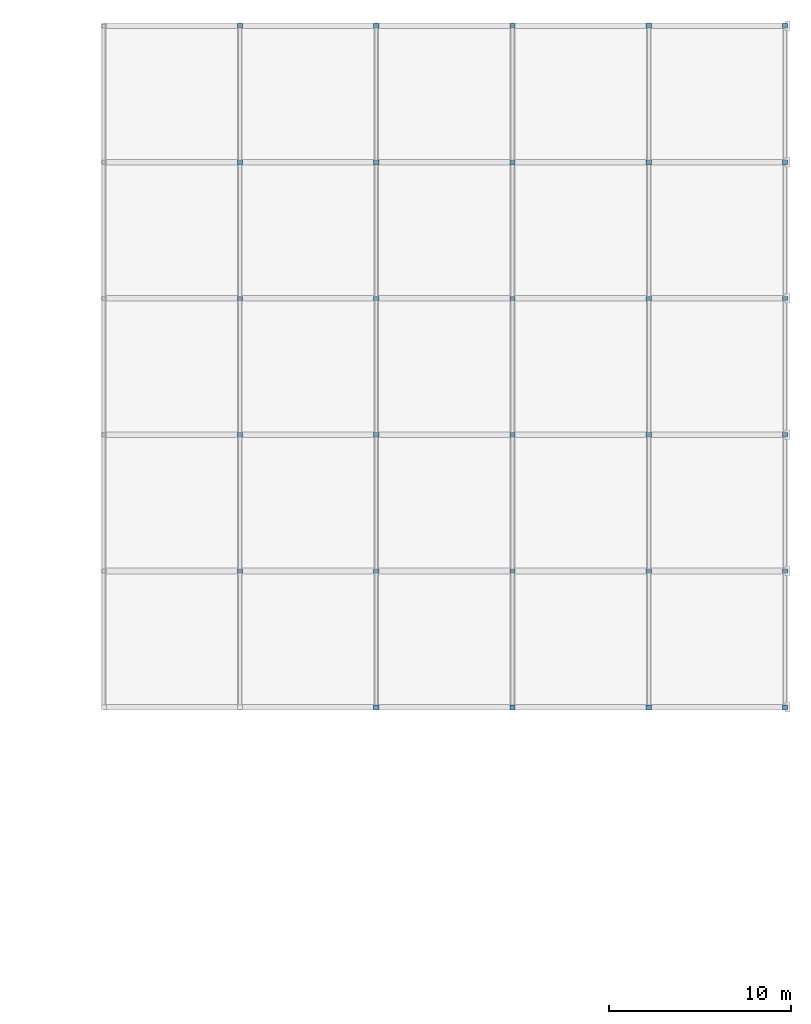
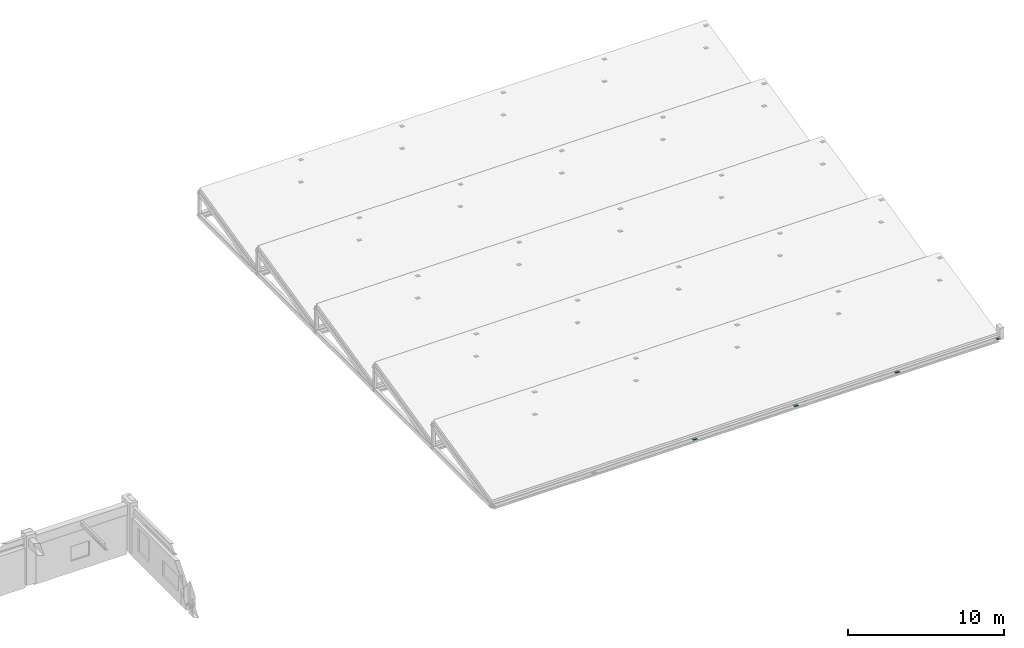
# One storey, part 72 of 82: 54 discrete accessories.
"""IFC4 building model written with IfcOpenShell, lengths in metres."""

from ifc_helpers import new_model, si_unit, direction, frame, origin, origin_2d, place, context, subcontext, project, spatial, rectangle, extrude, material, type_object, element, save


model = new_model("IFC4")

# Units and contexts
model_context = context("Model", 3, precision=1e-05, world=origin(), true_north=direction((0.0, 1.0)))
body_context = subcontext(model_context, "Body", "Model", "MODEL_VIEW")
ifc_project = project(units=[si_unit("LENGTHUNIT", "METRE"), si_unit("AREAUNIT", "SQUARE_METRE"), si_unit("VOLUMEUNIT", "CUBIC_METRE"), si_unit("PLANEANGLEUNIT", "RADIAN"), si_unit("MASSUNIT", "GRAM", prefix="KILO")], contexts=[model_context])

# Site, building, storey
site_placement = place(None, origin())
site = spatial("IfcSite", under=ifc_project, at=site_placement, CompositionType="ELEMENT")
building_placement = place(site_placement, origin())
building = spatial("IfcBuilding", under=site, at=building_placement, Name="Qasida Concert Hall", CompositionType="ELEMENT")
storey_placement = place(building_placement, frame((0.0, 0.0, 17.10009765625)))
storey = spatial("IfcBuildingStorey", under=building, at=storey_placement, Name="L04", CompositionType="ELEMENT", Elevation=17.10009765625)

# Discrete accessories
ifc_material = material(Name="Steel S355J2", Category="steel")
discrete_accessory_type = type_object("IfcDiscreteAccessoryType", Name="ACC-CONN-S355", PredefinedType="BRACKET", material=ifc_material)
for number, where, z_axis, x_axis, name in (
    (1, (150.0, 75.0, -0.011962890625), (0.0, 0.0, 1.0), (1.0, 0.0, 0.0), "Steel brace/strut end connection CN-0115"),
    (2, (165.0, 75.0, -0.011962890625), (0.0, 0.0, 1.0), (1.0, 0.0, 0.0), "Steel brace/strut end connection CN-0116"),
    (3, (150.0, 82.5, -0.011962890625), (0.0, 0.0, 1.0), (1.0, 0.0, 0.0), "Steel brace/strut end connection CN-0118"),
    (4, (165.0, 82.5, -0.011962890625), (0.0, 0.0, 1.0), (1.0, 0.0, 0.0), "Steel brace/strut end connection CN-0119"),
    (5, (150.0, 90.0, -0.011962890625), (0.0, 0.0, 1.0), (1.0, 0.0, 0.0), "Steel brace/strut end connection CN-0121"),
    (6, (165.0, 90.0, -0.011962890625), (0.0, 0.0, 1.0), (1.0, 0.0, 0.0), "Steel brace/strut end connection CN-0122"),
    (7, (150.0, 97.5, -0.011962890625), (0.0, 0.0, 1.0), (1.0, 0.0, 0.0), "Steel brace/strut end connection CN-0124"),
    (8, (165.0, 97.5, -0.011962890625), (0.0, 0.0, 1.0), (1.0, 0.0, 0.0), "Steel brace/strut end connection CN-0125"),
    (9, (150.0, 105.0, -0.011962890625), (0.0, 0.0, 1.0), (1.0, 0.0, 0.0), "Steel brace/strut end connection CN-0127"),
    (10, (165.0, 105.0, -0.011962890625), (0.0, 0.0, 1.0), (1.0, 0.0, 0.0), "Steel brace/strut end connection CN-0128"),
    (11, (150.0, 112.5, -0.011962890625), (0.0, 0.0, 1.0), (1.0, 0.0, 0.0), "Steel brace/strut end connection CN-0130"),
    (12, (165.0, 112.5, -0.011962890625), (0.0, 0.0, 1.0), (1.0, 0.0, 0.0), "Steel brace/strut end connection CN-0131"),
    (13, (135.0, 82.5, -0.011962890625), (0.0, 0.0, 1.0), (1.0, 0.0, 0.0), "Steel brace/strut end connection CN-0134"),
    (14, (135.0, 82.5, 1.738037109375), (0.0, 0.0, 1.0), (1.0, 0.0, 0.0), "Steel brace/strut end connection CN-0135"),
    (15, (142.5, 75.0, -0.011962890625), (0.0, 0.0, 1.0), (1.0, 0.0, 0.0), "Steel brace/strut end connection CN-0136"),
    (16, (142.5, 82.5, -0.011962890625), (0.0, 0.0, 1.0), (1.0, 0.0, 0.0), "Steel brace/strut end connection CN-0137"),
    (17, (142.5, 82.5, 1.738037109375), (0.0, 0.0, 1.0), (1.0, 0.0, 0.0), "Steel brace/strut end connection CN-0138"),
    (18, (150.0, 82.5, 1.738037109375), (0.0, 0.0, 1.0), (1.0, 0.0, 0.0), "Steel brace/strut end connection CN-0139"),
    (19, (157.5, 75.0, -0.011962890625), (0.0, 0.0, 1.0), (1.0, 0.0, 0.0), "Steel brace/strut end connection CN-0140"),
    (20, (157.5, 82.5, -0.011962890625), (0.0, 0.0, 1.0), (1.0, 0.0, 0.0), "Steel brace/strut end connection CN-0141"),
    (21, (157.5, 82.5, 1.738037109375), (0.0, 0.0, 1.0), (1.0, 0.0, 0.0), "Steel brace/strut end connection CN-0142"),
    (22, (165.0, 82.5, 1.738037109375), (0.0, 0.0, 1.0), (1.0, 0.0, 0.0), "Steel brace/strut end connection CN-0143"),
    (23, (135.0, 90.0, -0.011962890625), (0.0, 0.0, 1.0), (1.0, 0.0, 0.0), "Steel brace/strut end connection CN-0145"),
    (24, (135.0, 90.0, 1.738037109375), (0.0, 0.0, 1.0), (1.0, 0.0, 0.0), "Steel brace/strut end connection CN-0146"),
    (25, (142.5, 90.0, -0.011962890625), (0.0, 0.0, 1.0), (1.0, 0.0, 0.0), "Steel brace/strut end connection CN-0147"),
    (26, (142.5, 90.0, 1.738037109375), (0.0, 0.0, 1.0), (1.0, 0.0, 0.0), "Steel brace/strut end connection CN-0148"),
    (27, (150.0, 90.0, 1.738037109375), (0.0, 0.0, 1.0), (1.0, 0.0, 0.0), "Steel brace/strut end connection CN-0149"),
    (28, (157.5, 90.0, -0.011962890625), (0.0, 0.0, 1.0), (1.0, 0.0, 0.0), "Steel brace/strut end connection CN-0150"),
    (29, (157.5, 90.0, 1.738037109375), (0.0, 0.0, 1.0), (1.0, 0.0, 0.0), "Steel brace/strut end connection CN-0151"),
    (30, (165.0, 90.0, 1.738037109375), (0.0, 0.0, 1.0), (1.0, 0.0, 0.0), "Steel brace/strut end connection CN-0152"),
    (31, (135.0, 97.5, -0.011962890625), (0.0, 0.0, 1.0), (1.0, 0.0, 0.0), "Steel brace/strut end connection CN-0154"),
    (32, (135.0, 97.5, 1.738037109375), (0.0, 0.0, 1.0), (1.0, 0.0, 0.0), "Steel brace/strut end connection CN-0155"),
    (33, (142.5, 97.5, -0.011962890625), (0.0, 0.0, 1.0), (1.0, 0.0, 0.0), "Steel brace/strut end connection CN-0156"),
    (34, (142.5, 97.5, 1.738037109375), (0.0, 0.0, 1.0), (1.0, 0.0, 0.0), "Steel brace/strut end connection CN-0157"),
    (35, (150.0, 97.5, 1.738037109375), (0.0, 0.0, 1.0), (1.0, 0.0, 0.0), "Steel brace/strut end connection CN-0158"),
    (36, (157.5, 97.5, -0.011962890625), (0.0, 0.0, 1.0), (1.0, 0.0, 0.0), "Steel brace/strut end connection CN-0159"),
    (37, (157.5, 97.5, 1.738037109375), (0.0, 0.0, 1.0), (1.0, 0.0, 0.0), "Steel brace/strut end connection CN-0160"),
    (38, (165.0, 97.5, 1.738037109375), (0.0, 0.0, 1.0), (1.0, 0.0, 0.0), "Steel brace/strut end connection CN-0161"),
    (39, (135.0, 105.0, -0.011962890625), (0.0, 0.0, 1.0), (1.0, 0.0, 0.0), "Steel brace/strut end connection CN-0163"),
    (40, (135.0, 105.0, 1.738037109375), (0.0, 0.0, 1.0), (1.0, 0.0, 0.0), "Steel brace/strut end connection CN-0164"),
    (41, (142.5, 105.0, -0.011962890625), (0.0, 0.0, 1.0), (1.0, 0.0, 0.0), "Steel brace/strut end connection CN-0165"),
    (42, (142.5, 105.0, 1.738037109375), (0.0, 0.0, 1.0), (1.0, 0.0, 0.0), "Steel brace/strut end connection CN-0166"),
    (43, (150.0, 105.0, 1.738037109375), (0.0, 0.0, 1.0), (1.0, 0.0, 0.0), "Steel brace/strut end connection CN-0167"),
    (44, (157.5, 105.0, -0.011962890625), (0.0, 0.0, 1.0), (1.0, 0.0, 0.0), "Steel brace/strut end connection CN-0168"),
    (45, (157.5, 105.0, 1.738037109375), (0.0, 0.0, 1.0), (1.0, 0.0, 0.0), "Steel brace/strut end connection CN-0169"),
    (46, (165.0, 105.0, 1.738037109375), (0.0, 0.0, 1.0), (1.0, 0.0, 0.0), "Steel brace/strut end connection CN-0170"),
    (47, (135.0, 112.5, -0.011962890625), (0.0, 0.0, 1.0), (1.0, 0.0, 0.0), "Steel brace/strut end connection CN-0172"),
    (48, (135.0, 112.5, 1.738037109375), (0.0, 0.0, 1.0), (1.0, 0.0, 0.0), "Steel brace/strut end connection CN-0173"),
    (49, (142.5, 112.5, -0.011962890625), (0.0, 0.0, 1.0), (1.0, 0.0, 0.0), "Steel brace/strut end connection CN-0174"),
    (50, (142.5, 112.5, 1.738037109375), (0.0, 0.0, 1.0), (1.0, 0.0, 0.0), "Steel brace/strut end connection CN-0175"),
    (51, (150.0, 112.5, 1.738037109375), (0.0, 0.0, 1.0), (1.0, 0.0, 0.0), "Steel brace/strut end connection CN-0176"),
    (52, (157.5, 112.5, -0.011962890625), (0.0, 0.0, 1.0), (1.0, 0.0, 0.0), "Steel brace/strut end connection CN-0177"),
    (53, (157.5, 112.5, 1.738037109375), (0.0, 0.0, 1.0), (1.0, 0.0, 0.0), "Steel brace/strut end connection CN-0178"),
    (54, (165.0, 112.5, 1.738037109375), (0.0, 0.0, 1.0), (1.0, 0.0, 0.0), "Steel brace/strut end connection CN-0179"),
):
    element("IfcDiscreteAccessory", number, at=place(storey_placement, frame(where, z_axis=z_axis, x_axis=x_axis)), inside=storey, type_object=discrete_accessory_type, Name=name, PredefinedType="BRACKET", context=body_context, shape_type="SweptSolid", body=[
        extrude(rectangle(XDim=0.280029296875, YDim=0.239990234375, at=origin_2d()), origin(), (0.0, 0.0, 1.0), 0.02392578125),
    ])

save(model, "model.ifc")
